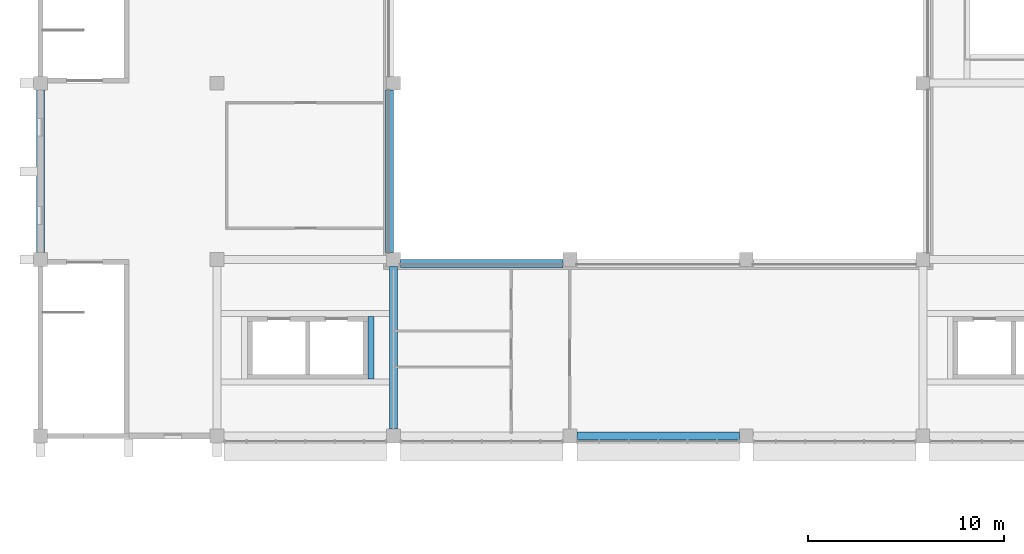
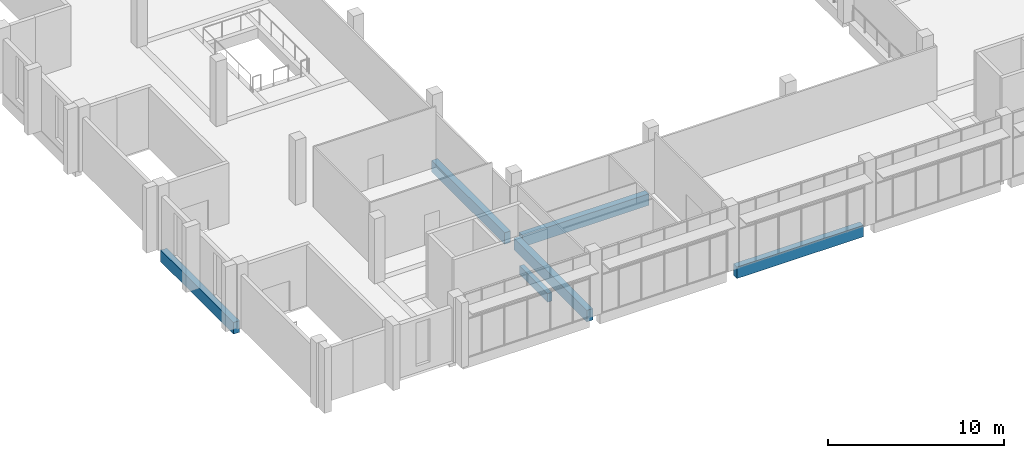
# One storey, part 4 of 40: 6 beams.
"""IFC4 building model written with IfcOpenShell, lengths in metres."""

from ifc_helpers import new_model, si_unit, direction, frame, origin, origin_2d, place, context, subcontext, project, spatial, rectangle, extrude, material, material_profile, profile_set, type_object, element, save


model = new_model("IFC4")

# Units and contexts
model_context = context("Model", 3, precision=1e-05, world=origin(), true_north=direction((0.0, 1.0)))
body_context = subcontext(model_context, "Body", "Model", "MODEL_VIEW")
ifc_project = project(units=[si_unit("LENGTHUNIT", "METRE"), si_unit("AREAUNIT", "SQUARE_METRE"), si_unit("VOLUMEUNIT", "CUBIC_METRE"), si_unit("PLANEANGLEUNIT", "RADIAN"), si_unit("MASSUNIT", "GRAM", prefix="KILO")], contexts=[model_context])

# Site, building, storey
site_placement = place(None, origin())
site = spatial("IfcSite", under=ifc_project, at=site_placement, CompositionType="ELEMENT")
building_placement = place(site_placement, origin())
building = spatial("IfcBuilding", under=site, at=building_placement, Name="Guidao Yard Department Store", CompositionType="ELEMENT")
storey_placement = place(building_placement, frame((0.0, 0.0, 24.0)))
storey = spatial("IfcBuildingStorey", under=building, at=storey_placement, Name="L05", CompositionType="ELEMENT", Elevation=24.0)

# Beams
ifc_material_1 = material(Name="Concrete C40", Category="concrete")
ifc_material_profile_1 = material_profile(ifc_material_1, rectangle(XDim=0.39990234375, YDim=0.800048828125, at=origin_2d()), Name="Edge beam 400 x 800 C40")
ifc_profile_set_1 = profile_set([ifc_material_profile_1], Name="Concrete C40")
beam_type_1 = type_object("IfcBeamType", Name="Edge beam 400 x 800 C40", PredefinedType="BEAM", material=ifc_profile_set_1)
for number, where, z_axis, x_axis, name in (
    (1, (18.35009765625, 53.800048828125, -0.39990234375), (1.0, 0.0, 0.0), (0.0, 1.0, 0.0), "Beam EB17"),
    (2, (17.800048828125, 54.35009765625, -0.39990234375), (0.0, 1.0, 0.0), (-1.0, 0.0, 0.0), "Beam EB27"),
    (3, (18.0, 45.35009765625, -0.39990234375), (0.0, 1.0, 0.0), (-1.0, 0.0, 0.0), "Beam EB33"),
):
    element("IfcBeam", number, at=place(storey_placement, frame(where, z_axis=z_axis, x_axis=x_axis)), inside=storey, type_object=beam_type_1, Name=name, PredefinedType="BEAM", context=body_context, shape_type="SweptSolid", body=[
        extrude(rectangle(XDim=0.39990234375, YDim=0.800048828125, at=origin_2d()), origin(), (0.0, 0.0, 1.0), 8.2998046875),
    ])
ifc_material_2 = material(Name="Concrete C40", Category="concrete")
ifc_material_profile_2 = material_profile(ifc_material_2, rectangle(XDim=0.300048828125, YDim=0.60009765625, at=origin_2d()), Name="Opening beam 300 x 600 C40")
ifc_profile_set_2 = profile_set([ifc_material_profile_2], Name="Concrete C40")
beam_type_2 = type_object("IfcBeamType", Name="Opening beam 300 x 600 C40", PredefinedType="BEAM", material=ifc_profile_set_2)
beam_placement = place(storey_placement, frame((16.85009765625, 47.89990234375, -0.300048828125), z_axis=(0.0, 1.0, 0.0), x_axis=(-1.0, 0.0, 0.0)))
element("IfcBeam", 4, at=beam_placement, inside=storey, type_object=beam_type_2, Name="Beam OB04", PredefinedType="BEAM", context=body_context, shape_type="SweptSolid", body=[
    extrude(rectangle(XDim=0.300048828125, YDim=0.60009765625, at=origin_2d()), origin(), (0.0, 0.0, 1.0), 3.2001953125),
])
ifc_material_3 = material(Name="Concrete C40", Category="concrete")
ifc_material_profile_3 = material_profile(ifc_material_3, rectangle(XDim=0.39990234375, YDim=0.800048828125, at=origin_2d()), Name="Spandrel beam 400 x 800 C40")
ifc_profile_set_3 = profile_set([ifc_material_profile_3], Name="Concrete C40")
beam_type_3 = type_object("IfcBeamType", Name="Spandrel beam 400 x 800 C40", PredefinedType="SPANDREL", material=ifc_profile_set_3)
for number, where, z_axis, x_axis, name in (
    (5, (27.35009765625, 45.0, -0.39990234375), (1.0, 0.0, 0.0), (0.0, 1.0, 0.0), "Beam EB03"),
    (6, (0.0, 54.35009765625, -0.39990234375), (0.0, 1.0, 0.0), (-1.0, 0.0, 0.0), "Beam EB06"),
):
    element("IfcBeam", number, at=place(storey_placement, frame(where, z_axis=z_axis, x_axis=x_axis)), inside=storey, type_object=beam_type_3, Name=name, PredefinedType="SPANDREL", context=body_context, shape_type="SweptSolid", body=[
        extrude(rectangle(XDim=0.39990234375, YDim=0.800048828125, at=origin_2d()), origin(), (0.0, 0.0, 1.0), 8.2998046875),
    ])

save(model, "model.ifc")
